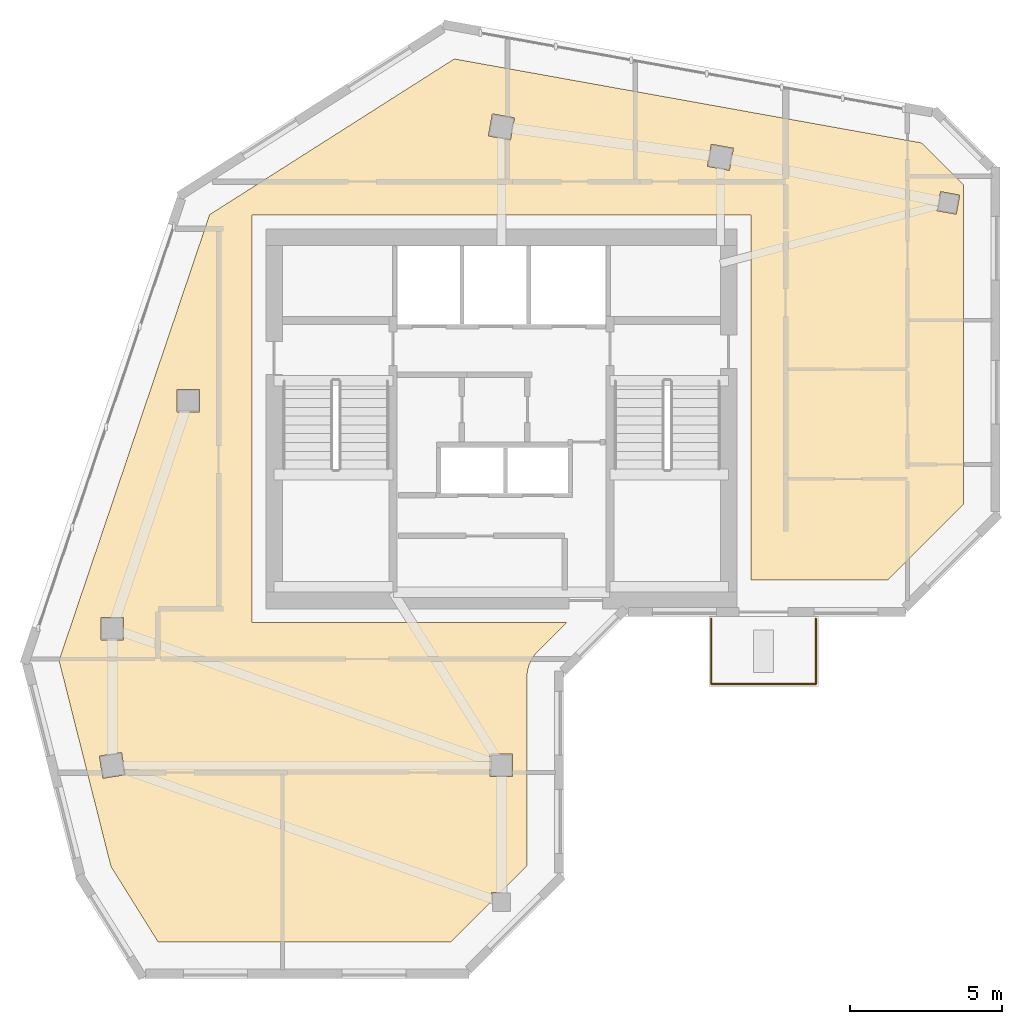
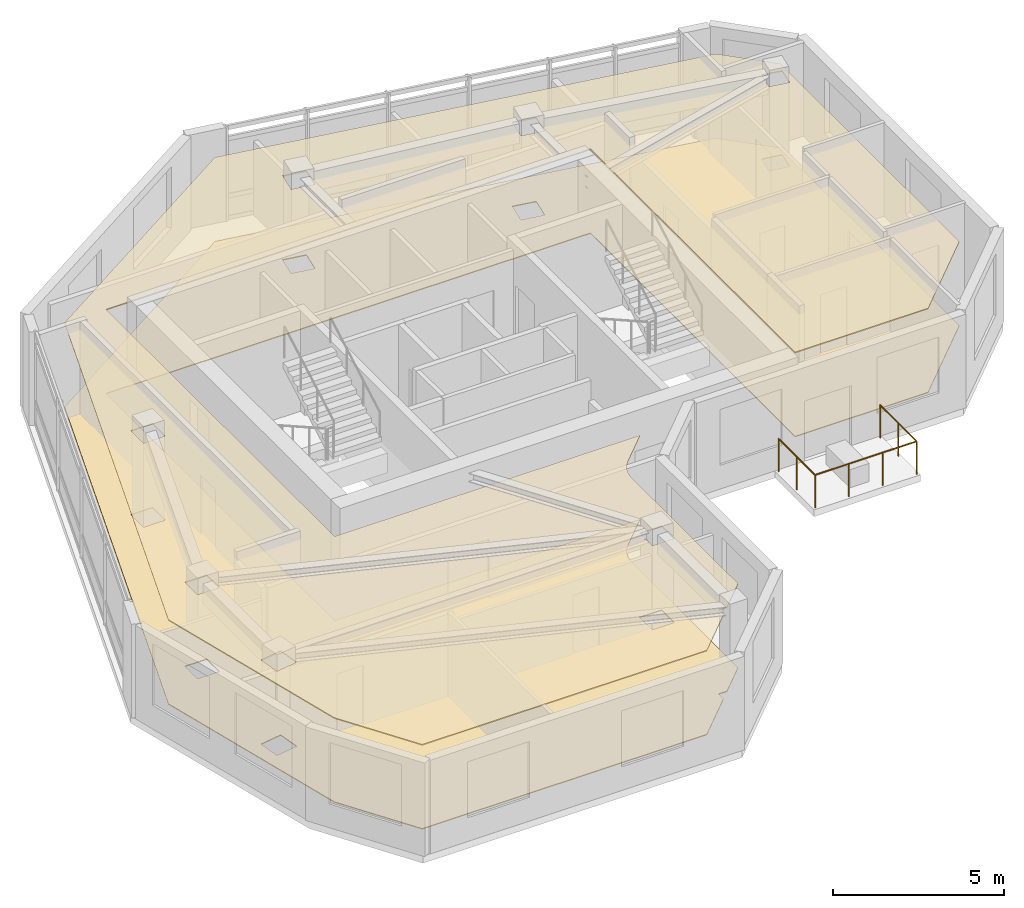
# One storey, part 6 of 7: 3 railings, 2 coverings.
"""IFC4 building model written with IfcOpenShell, lengths in metres."""

from ifc_helpers import new_model, si_unit, direction, frame, origin, origin_2d, place, context, subcontext, project, spatial, polyline, circle, outline, extrude, material, layer, layer_set, type_object, element, save


model = new_model("IFC4")

# Units and contexts
model_context = context("Model", 3, precision=1e-05, world=origin(), true_north=direction((0.0, 1.0)))
body_context = subcontext(model_context, "Body", "Model", "MODEL_VIEW")
ifc_project = project(units=[si_unit("LENGTHUNIT", "METRE"), si_unit("AREAUNIT", "SQUARE_METRE"), si_unit("VOLUMEUNIT", "CUBIC_METRE"), si_unit("PLANEANGLEUNIT", "RADIAN"), si_unit("MASSUNIT", "GRAM", prefix="KILO")], contexts=[model_context])

# Site, building, storey
site_placement = place(None, origin())
site = spatial("IfcSite", under=ifc_project, at=site_placement, CompositionType="ELEMENT")
building_placement = place(site_placement, origin())
building = spatial("IfcBuilding", under=site, at=building_placement, Name="Calvemar Wedge Station Tower", CompositionType="ELEMENT")
storey_placement = place(building_placement, frame((0.0, 0.0, 278.10009765625)))
storey = spatial("IfcBuildingStorey", under=building, at=storey_placement, Name="L71", CompositionType="ELEMENT", Elevation=278.10009765625)

# Coverings
ifc_material_1 = material(Name="Acoustic mineral fibre ceiling board")
ifc_layer_1 = layer(ifc_material_1, 0.0400390625)
ifc_layer_set_1 = layer_set([ifc_layer_1], Name="Acoustic mineral fibre ceiling board")
covering_type_1 = type_object("IfcCoveringType", Name="COV-CEIL-ACOUSTIC", PredefinedType="CEILING", material=ifc_layer_set_1)
covering_1_placement = place(storey_placement, frame((0.0, 0.0, 3.0)))
element("IfcCovering", 1, at=covering_1_placement, inside=storey, type_object=covering_type_1, Name="Storey L71 Acoustic Suspended Ceiling", PredefinedType="CEILING", context=body_context, shape_type="SweptSolid", body=[
    extrude(outline(polyline([(32.0, 46.60009765625), (32.0, 34.60009765625), (36.5029296875, 34.60009765625), (39.0, 37.09716796875), (39.0, 47.5908203125), (37.617431640625, 48.973388671875), (22.248779296875, 51.736083984375), (14.201416015625, 46.614990234375), (9.25, 31.95068359375), (10.95751953125, 25.176025390625), (12.505126953125, 22.699951171875), (22.142822265625, 22.699951171875), (23.47998046875, 24.037109375), (23.47998046875, 24.320068359375), (23.762939453125, 24.320068359375), (24.639892578125, 25.197021484375), (24.639892578125, 31.39990234375), (24.645751953125, 31.517578125), (24.6630859375, 31.634033203125), (24.691650390625, 31.748291015625), (24.731201171875, 31.859130859375), (24.78173828125, 31.9658203125), (24.84228515625, 32.066650390625), (24.912353515625, 32.161376953125), (24.991455078125, 32.24853515625), (25.94287109375, 33.199951171875), (15.60009765625, 33.199951171875), (15.60009765625, 46.60009765625), (32.0, 46.60009765625)]), holes=[polyline([(10.6298828125, 32.6298828125), (10.6298828125, 33.3701171875), (11.3701171875, 33.3701171875), (11.3701171875, 32.6298828125), (10.6298828125, 32.6298828125)]), polyline([(13.1298828125, 40.8701171875), (13.8701171875, 40.8701171875), (13.8701171875, 40.1298828125), (13.1298828125, 40.1298828125), (13.1298828125, 40.8701171875)]), polyline([(24.229736328125, 49.798583984375), (24.0986328125, 49.0703125), (23.370361328125, 49.201416015625), (23.50146484375, 49.9296875), (24.229736328125, 49.798583984375)]), polyline([(31.298583984375, 48.0703125), (30.5703125, 48.201416015625), (30.701416015625, 48.9296875), (31.4296875, 48.798583984375), (31.298583984375, 48.0703125)]), polyline([(38.12841796875, 46.74169921875), (38.24169921875, 47.37158203125), (38.87158203125, 47.25830078125), (38.75830078125, 46.62841796875), (38.12841796875, 46.74169921875)]), polyline([(11.306884765625, 28.923828125), (11.423828125, 28.193115234375), (10.693115234375, 28.076171875), (10.576171875, 28.806884765625), (11.306884765625, 28.923828125)]), polyline([(24.169921875, 28.8701171875), (24.169921875, 28.1298828125), (23.429931640625, 28.1298828125), (23.429931640625, 28.8701171875), (24.169921875, 28.8701171875)])]), origin(), (0.0, 0.0, 1.0), 0.039794921875),
])
ifc_material_2 = material(Name="Honed coastal granite stone tile", Category="masonry")
ifc_layer_2 = layer(ifc_material_2, 0.030029296875)
ifc_layer_set_2 = layer_set([ifc_layer_2], Name="Honed coastal granite stone tile")
covering_type_2 = type_object("IfcCoveringType", Name="COV-FLR-STONE", PredefinedType="FLOORING", material=ifc_layer_set_2)
covering_2_placement = place(storey_placement, origin())
element("IfcCovering", 2, at=covering_2_placement, inside=storey, type_object=covering_type_2, Name="Storey L71 Architectural Floor Finish", PredefinedType="FLOORING", context=body_context, shape_type="SweptSolid", body=[
    extrude(outline(polyline([(32.0, 46.60009765625), (32.0, 34.60009765625), (36.5029296875, 34.60009765625), (39.0, 37.09716796875), (39.0, 47.5908203125), (37.617431640625, 48.973388671875), (22.248779296875, 51.736083984375), (14.201416015625, 46.614990234375), (9.25, 31.95068359375), (10.95751953125, 25.176025390625), (12.505126953125, 22.699951171875), (22.142822265625, 22.699951171875), (23.47998046875, 24.037109375), (23.47998046875, 24.320068359375), (23.762939453125, 24.320068359375), (24.639892578125, 25.197021484375), (24.639892578125, 31.39990234375), (24.645751953125, 31.517578125), (24.6630859375, 31.634033203125), (24.691650390625, 31.748291015625), (24.731201171875, 31.859130859375), (24.78173828125, 31.9658203125), (24.84228515625, 32.066650390625), (24.912353515625, 32.161376953125), (24.991455078125, 32.24853515625), (25.94287109375, 33.199951171875), (15.60009765625, 33.199951171875), (15.60009765625, 46.60009765625), (32.0, 46.60009765625)]), holes=[polyline([(10.6298828125, 32.6298828125), (10.6298828125, 33.3701171875), (11.3701171875, 33.3701171875), (11.3701171875, 32.6298828125), (10.6298828125, 32.6298828125)]), polyline([(13.1298828125, 40.8701171875), (13.8701171875, 40.8701171875), (13.8701171875, 40.1298828125), (13.1298828125, 40.1298828125), (13.1298828125, 40.8701171875)]), polyline([(24.229736328125, 49.798583984375), (24.0986328125, 49.0703125), (23.370361328125, 49.201416015625), (23.50146484375, 49.9296875), (24.229736328125, 49.798583984375)]), polyline([(31.298583984375, 48.0703125), (30.5703125, 48.201416015625), (30.701416015625, 48.9296875), (31.4296875, 48.798583984375), (31.298583984375, 48.0703125)]), polyline([(38.12841796875, 46.74169921875), (38.24169921875, 47.37158203125), (38.87158203125, 47.25830078125), (38.75830078125, 46.62841796875), (38.12841796875, 46.74169921875)]), polyline([(11.306884765625, 28.923828125), (11.423828125, 28.193115234375), (10.693115234375, 28.076171875), (10.576171875, 28.806884765625), (11.306884765625, 28.923828125)]), polyline([(24.169921875, 28.8701171875), (24.169921875, 28.1298828125), (23.429931640625, 28.1298828125), (23.429931640625, 28.8701171875), (24.169921875, 28.8701171875)])]), origin(), (0.0, 0.0, 1.0), 0.02978515625),
])

# Railings
ifc_material_3 = material(Name="Stainless steel AISI 316L", Category="steel")
railing_type = type_object("IfcRailingType", Name="GRD-TERR-1200", PredefinedType="GUARDRAIL", material=ifc_material_3)
railing_1_placement = place(storey_placement, frame((34.139892578125, 33.320068359375, 0.0)))
element("IfcRailing", 3, at=railing_1_placement, inside=storey, type_object=railing_type, Name="Storey L71 Spiral Terrace Guard 2", PredefinedType="GUARDRAIL", context=body_context, shape_type="SweptSolid", body=[
    extrude(circle(Radius=0.02392578125, at=origin_2d()), frame((0.0, 0.0, 1.17578125), z_axis=(0.0, -1.0, 0.0), x_axis=(1.0, 0.0, 0.0)), (0.0, 0.0, 1.0), 2.14013671875),
    extrude(circle(Radius=0.02099609375, at=origin_2d()), origin(), (0.0, 0.0, 1.0), 1.15185546875),
    extrude(circle(Radius=0.02099609375, at=origin_2d()), frame((0.0, -1.070068359375, 0.0)), (0.0, 0.0, 1.0), 1.15185546875),
    extrude(circle(Radius=0.02099609375, at=origin_2d()), frame((0.0, -2.14013671875, 0.0)), (0.0, 0.0, 1.0), 1.15185546875),
])
railing_2_placement = place(storey_placement, frame((34.139892578125, 31.179931640625, 0.0)))
element("IfcRailing", 4, at=railing_2_placement, inside=storey, type_object=railing_type, Name="Storey L71 Spiral Terrace Guard 3", PredefinedType="GUARDRAIL", context=body_context, shape_type="SweptSolid", body=[
    extrude(circle(Radius=0.02392578125, at=origin_2d()), frame((0.0, 0.0, 1.17578125), z_axis=(-1.0, 0.0, 0.0), x_axis=(0.0, -1.0, 0.0)), (0.0, 0.0, 1.0), 3.43994140625),
    extrude(circle(Radius=0.02099609375, at=origin_2d()), origin(), (0.0, 0.0, 1.0), 1.15185546875),
    extrude(circle(Radius=0.02099609375, at=origin_2d()), frame((-1.146728515625, 0.0, 0.0)), (0.0, 0.0, 1.0), 1.15185546875),
    extrude(circle(Radius=0.02099609375, at=origin_2d()), frame((-2.293212890625, 0.0, 0.0)), (0.0, 0.0, 1.0), 1.15185546875),
    extrude(circle(Radius=0.02099609375, at=origin_2d()), frame((-3.43994140625, 0.0, 0.0)), (0.0, 0.0, 1.0), 1.15185546875),
])
railing_3_placement = place(storey_placement, frame((30.699951171875, 31.179931640625, 0.0)))
element("IfcRailing", 5, at=railing_3_placement, inside=storey, type_object=railing_type, Name="Storey L71 Spiral Terrace Guard 4", PredefinedType="GUARDRAIL", context=body_context, shape_type="SweptSolid", body=[
    extrude(circle(Radius=0.02392578125, at=origin_2d()), frame((0.0, 0.0, 1.17578125), z_axis=(0.0, 1.0, 0.0), x_axis=(-1.0, 0.0, 0.0)), (0.0, 0.0, 1.0), 2.14013671875),
    extrude(circle(Radius=0.02099609375, at=origin_2d()), origin(), (0.0, 0.0, 1.0), 1.15185546875),
    extrude(circle(Radius=0.02099609375, at=origin_2d()), frame((0.0, 1.070068359375, 0.0)), (0.0, 0.0, 1.0), 1.15185546875),
    extrude(circle(Radius=0.02099609375, at=origin_2d()), frame((0.0, 2.14013671875, 0.0)), (0.0, 0.0, 1.0), 1.15185546875),
])

save(model, "model.ifc")
